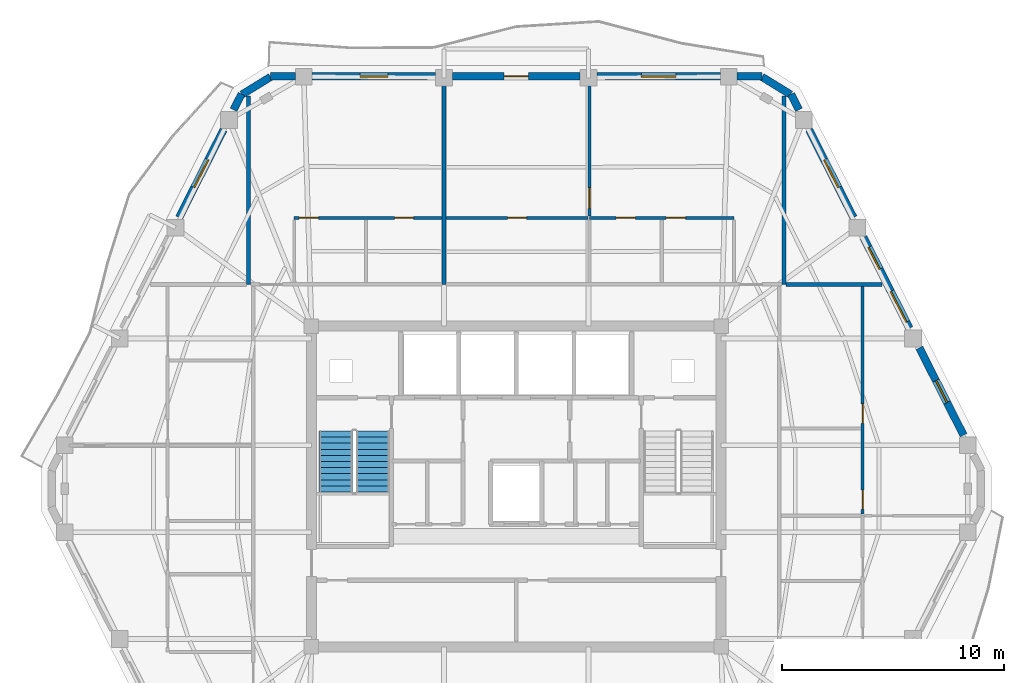
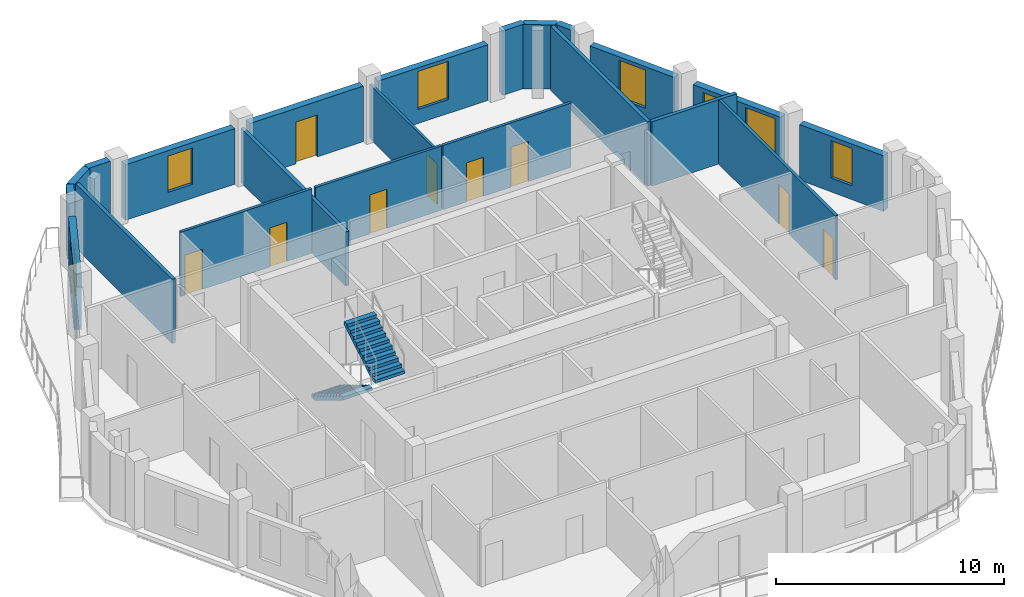
# One storey, part 7 of 11: 22 walls, 9 doors, 7 windows, 2 stair flights, 16 openings, 1 element without a shape of its own.
"""IFC4 building model written with IfcOpenShell, lengths in metres."""

from ifc_helpers import new_model, si_unit, direction, frame, frame_2d, origin, place, context, subcontext, project, spatial, polyline, rectangle, outline, extrude, material, layer, layer_set, type_object, element, fill, aggregate, save


model = new_model("IFC4")

# Units and contexts
model_context = context("Model", 3, precision=1e-05, world=origin(), true_north=direction((0.0, 1.0)))
body_context = subcontext(model_context, "Body", "Model", "MODEL_VIEW")
ifc_project = project(units=[si_unit("LENGTHUNIT", "METRE"), si_unit("AREAUNIT", "SQUARE_METRE"), si_unit("VOLUMEUNIT", "CUBIC_METRE"), si_unit("PLANEANGLEUNIT", "RADIAN"), si_unit("MASSUNIT", "GRAM", prefix="KILO")], contexts=[model_context])

# Site, building, storey
site_placement = place(None, origin())
site = spatial("IfcSite", under=ifc_project, at=site_placement, CompositionType="ELEMENT")
building_placement = place(site_placement, origin())
building = spatial("IfcBuilding", under=site, at=building_placement, Name="Cinnabar Lancet Tower", CompositionType="ELEMENT")
storey_placement = place(building_placement, frame((0.0, 0.0, 234.300048828125)))
storey = spatial("IfcBuildingStorey", under=building, at=storey_placement, Name="L62", CompositionType="ELEMENT", Elevation=234.300048828125)

# Walls
ifc_material_1 = material(Name="Fire-rated twin-frame acoustic drywall", Category="gypsum")
ifc_layer_1 = layer(ifc_material_1, 0.179931640625)
ifc_layer_set_1 = layer_set([ifc_layer_1], Name="Fire-rated twin-frame acoustic drywall")
wall_type_1 = type_object("IfcWallType", Name="ARC-WL-PARTY-180", PredefinedType="PARTITIONING", material=ifc_layer_set_1)
wall_1_placement = place(storey_placement, frame((20.35009765625, 35.0, 0.0), z_axis=(0.0, 0.0, 1.0), x_axis=(0.0, 1.0, 0.0)))
element("IfcWall", 1, at=wall_1_placement, inside=storey, type_object=wall_type_1, Name="PW-L62-NPTY-204", PredefinedType="PARTITIONING", context=body_context, shape_type="SweptSolid", body=[
    extrude(rectangle(XDim=8.48095703125, YDim=0.179931640625, at=frame_2d((4.240478515625, 0.0))), origin(), (0.0, 0.0, 1.0), 3.449951171875),
])
wall_2_placement = place(storey_placement, frame((29.14599609375, 35.0, 0.0), z_axis=(0.0, 0.0, 1.0), x_axis=(0.0, 1.0, 0.0)))
element("IfcWall", 2, at=wall_2_placement, inside=storey, type_object=wall_type_1, Name="PW-L62-NPTY-291", PredefinedType="PARTITIONING", context=body_context, shape_type="SweptSolid", body=[
    extrude(rectangle(XDim=9.195068359375, YDim=0.179931640625, at=frame_2d((4.59765625, 0.0))), origin(), (0.0, 0.0, 1.0), 2.906982421875),
])
wall_3_placement = place(storey_placement, frame((44.449951171875, 35.0, 0.0), z_axis=(0.0, 0.0, 1.0), x_axis=(0.0, 1.0, 0.0)))
element("IfcWall", 3, at=wall_3_placement, inside=storey, type_object=wall_type_1, Name="PW-L62-NPTY-444", PredefinedType="PARTITIONING", context=body_context, shape_type="SweptSolid", body=[
    extrude(rectangle(XDim=8.48095703125, YDim=0.179931640625, at=frame_2d((4.240478515625, 0.0))), origin(), (0.0, 0.0, 1.0), 3.449951171875),
])
wall_4_placement = place(storey_placement, frame((44.544921875, 35.0, 0.0), z_axis=(0.0, 0.0, 1.0), x_axis=(1.0, 0.0, 0.0)))
element("IfcWall", 4, at=wall_4_placement, inside=storey, type_object=wall_type_1, Name="PW-L62-ENB", PredefinedType="PARTITIONING", context=body_context, shape_type="SweptSolid", body=[
    extrude(rectangle(XDim=4.322021484375, YDim=0.179931640625, at=frame_2d((2.1611328125, 0.0))), origin(), (0.0, 0.0, 1.0), 3.449951171875),
])

# Wall, opening, door
ifc_material_2 = material(Name="Gypsum plasterboard stud partition", Category="gypsum")
ifc_layer_2 = layer(ifc_material_2, 0.125)
ifc_layer_set_2 = layer_set([ifc_layer_2], Name="Gypsum plasterboard stud partition")
wall_type_2 = type_object("IfcWallType", Name="ARC-WL-UNIT-125", PredefinedType="PARTITIONING", material=ifc_layer_set_2)
wall_5_placement = place(storey_placement, frame((35.697021484375, 38.075927734375, 0.0), z_axis=(0.0, 0.0, 1.0), x_axis=(0.0, 1.0, 0.0)))
wall_5 = element("IfcWall", 5, at=wall_5_placement, inside=storey, type_object=wall_type_2, Name="UW-L62-N02-MBW", PredefinedType="PARTITIONING", context=body_context, shape_type="SweptSolid", body=[
    extrude(rectangle(XDim=6.208984375, YDim=0.125, at=frame_2d((3.1044921875, 0.0))), origin(), (0.0, 0.0, 1.0), 2.906982421875),
])
opening_1_placement = place(wall_5_placement, frame((0.35009765625, 0.0, 0.0)))
opening_1 = element("IfcOpeningElement", 6, at=opening_1_placement, cuts=wall_5, Name="Opening RD-01", PredefinedType="OPENING", context=body_context, shape_type="SweptSolid", body=[
    extrude(rectangle(XDim=0.919921875, YDim=2.14990234375, at=frame_2d((0.4599609375, 1.074951171875))), frame((0.0, 0.072509765625, 0.0), z_axis=(0.0, -1.0, 0.0), x_axis=(1.0, 0.0, 0.0)), (0.0, 0.0, 1.0), 0.14501953125),
])
ifc_material_3 = material(Name="Engineered timber bedroom door", Category="wood")
door_type_1 = type_object("IfcDoorType", Name="ARC-DR-ROOM", OperationType="NOTDEFINED", PredefinedType="DOOR", material=ifc_material_3)
door_1_placement = place(opening_1_placement, origin())
door_1 = element("IfcDoor", 7, at=door_1_placement, inside=storey, type_object=door_type_1, Name="DR-L62-N02-MBD", OperationType="SINGLE_SWING_RIGHT", OverallHeight=2.14990234375, OverallWidth=0.919921875, PredefinedType="DOOR", context=body_context, shape_type="SweptSolid", body=[
    extrude(rectangle(XDim=0.919921875, YDim=2.14990234375, at=frame_2d((0.4599609375, 1.074951171875))), frame((0.0, 0.02490234375, 0.0), z_axis=(0.0, -1.0, 0.0), x_axis=(1.0, 0.0, 0.0)), (0.0, 0.0, 1.0), 0.050048828125),
])
fill(opening_1, door_1)

# Wall, openings, doors
ifc_material_4 = material(Name="Moisture-resistant cement-board plumbing wall", Category="masonry")
ifc_layer_3 = layer(ifc_material_4, 0.139892578125)
ifc_layer_set_3 = layer_set([ifc_layer_3], Name="Moisture-resistant cement-board plumbing wall")
wall_type_3 = type_object("IfcWallType", Name="ARC-WL-WET-140", PredefinedType="PLUMBINGWALL", material=ifc_layer_set_3)
wall_6_placement = place(storey_placement, frame((22.39990234375, 38.0009765625, 0.0), z_axis=(0.0, 0.0, 1.0), x_axis=(1.0, 0.0, 0.0)))
wall_6 = element("IfcWall", 8, at=wall_6_placement, inside=storey, type_object=wall_type_3, Name="UW-L62-N01-SPL", PredefinedType="PLUMBINGWALL", context=body_context, shape_type="SweptSolid", body=[
    extrude(rectangle(XDim=6.651123046875, YDim=0.139892578125, at=frame_2d((3.32568359375, 0.0))), origin(), (0.0, 0.0, 1.0), 3.449951171875),
])
opening_2_placement = place(wall_6_placement, frame((4.52001953125, 0.0, 0.0)))
opening_2 = element("IfcOpeningElement", 9, at=opening_2_placement, cuts=wall_6, Name="Opening BD-01", PredefinedType="OPENING", context=body_context, shape_type="SweptSolid", body=[
    extrude(rectangle(XDim=0.860107421875, YDim=2.10009765625, at=frame_2d((0.43017578125, 1.050048828125))), frame((0.0, 0.079833984375, 0.0), z_axis=(0.0, -1.0, 0.0), x_axis=(1.0, 0.0, 0.0)), (0.0, 0.0, 1.0), 0.159912109375),
])
opening_3_placement = place(wall_6_placement, frame((0.219970703125, 0.0, 0.0)))
opening_3 = element("IfcOpeningElement", 10, at=opening_3_placement, cuts=wall_6, Name="Opening RD-02", PredefinedType="OPENING", context=body_context, shape_type="SweptSolid", body=[
    extrude(rectangle(XDim=0.8798828125, YDim=2.14990234375, at=frame_2d((0.43994140625, 1.074951171875))), frame((0.0, 0.079833984375, 0.0), z_axis=(0.0, -1.0, 0.0), x_axis=(1.0, 0.0, 0.0)), (0.0, 0.0, 1.0), 0.159912109375),
])
ifc_material_5 = material(Name="Moisture-resistant timber bathroom door", Category="wood")
door_type_2 = type_object("IfcDoorType", Name="ARC-DR-BATH", OperationType="NOTDEFINED", PredefinedType="DOOR", material=ifc_material_5)
door_2_placement = place(opening_2_placement, origin())
door_2 = element("IfcDoor", 11, at=door_2_placement, inside=storey, type_object=door_type_2, Name="DR-L62-N01-BTH", OperationType="SINGLE_SWING_RIGHT", OverallHeight=2.10009765625, OverallWidth=0.860107421875, PredefinedType="DOOR", context=body_context, shape_type="SweptSolid", body=[
    extrude(rectangle(XDim=0.860107421875, YDim=2.10009765625, at=frame_2d((0.43017578125, 1.050048828125))), frame((0.0, 0.02490234375, 0.0), z_axis=(0.0, -1.0, 0.0), x_axis=(1.0, 0.0, 0.0)), (0.0, 0.0, 1.0), 0.050048828125),
])
fill(opening_2, door_2)
ifc_material_6 = material(Name="Engineered timber study door", Category="wood")
door_type_3 = type_object("IfcDoorType", Name="ARC-DR-STUDY", OperationType="NOTDEFINED", PredefinedType="DOOR", material=ifc_material_6)
door_3_placement = place(opening_3_placement, origin())
door_3 = element("IfcDoor", 12, at=door_3_placement, inside=storey, type_object=door_type_3, Name="DR-L62-N01-KIT", OperationType="SINGLE_SWING_LEFT", OverallHeight=2.14990234375, OverallWidth=0.8798828125, PredefinedType="DOOR", context=body_context, shape_type="SweptSolid", body=[
    extrude(rectangle(XDim=0.8798828125, YDim=2.14990234375, at=frame_2d((0.43994140625, 1.074951171875))), frame((0.0, 0.02490234375, 0.0), z_axis=(0.0, -1.0, 0.0), x_axis=(1.0, 0.0, 0.0)), (0.0, 0.0, 1.0), 0.050048828125),
])
fill(opening_3, door_3)

wall_7_placement = place(storey_placement, frame((35.697021484375, 38.0009765625, 0.0), z_axis=(0.0, 0.0, 1.0), x_axis=(1.0, 0.0, 0.0)))
wall_7 = element("IfcWall", 13, at=wall_7_placement, inside=storey, type_object=wall_type_3, Name="UW-L62-N02-SPL", PredefinedType="PLUMBINGWALL", context=body_context, shape_type="SweptSolid", body=[
    extrude(rectangle(XDim=6.5029296875, YDim=0.139892578125, at=frame_2d((3.25146484375, 0.0))), origin(), (0.0, 0.0, 1.0), 3.449951171875),
])
opening_4_placement = place(wall_7_placement, frame((1.200927734375, 0.0, 0.0)))
opening_4 = element("IfcOpeningElement", 14, at=opening_4_placement, cuts=wall_7, Name="Opening BD-01", PredefinedType="OPENING", context=body_context, shape_type="SweptSolid", body=[
    extrude(rectangle(XDim=0.860107421875, YDim=2.10009765625, at=frame_2d((0.43017578125, 1.050048828125))), frame((0.0, 0.079833984375, 0.0), z_axis=(0.0, -1.0, 0.0), x_axis=(1.0, 0.0, 0.0)), (0.0, 0.0, 1.0), 0.159912109375),
])
opening_5_placement = place(wall_7_placement, frame((3.451904296875, 0.0, 0.0)))
opening_5 = element("IfcOpeningElement", 15, at=opening_5_placement, cuts=wall_7, Name="Opening RD-02", PredefinedType="OPENING", context=body_context, shape_type="SweptSolid", body=[
    extrude(rectangle(XDim=0.8798828125, YDim=2.14990234375, at=frame_2d((0.43994140625, 1.074951171875))), frame((0.0, 0.079833984375, 0.0), z_axis=(0.0, -1.0, 0.0), x_axis=(1.0, 0.0, 0.0)), (0.0, 0.0, 1.0), 0.159912109375),
])
door_4_placement = place(opening_4_placement, origin())
door_4 = element("IfcDoor", 16, at=door_4_placement, inside=storey, type_object=door_type_2, Name="DR-L62-N02-BTH", OperationType="SINGLE_SWING_RIGHT", OverallHeight=2.10009765625, OverallWidth=0.860107421875, PredefinedType="DOOR", context=body_context, shape_type="SweptSolid", body=[
    extrude(rectangle(XDim=0.860107421875, YDim=2.10009765625, at=frame_2d((0.43017578125, 1.050048828125))), frame((0.0, 0.02490234375, 0.0), z_axis=(0.0, -1.0, 0.0), x_axis=(1.0, 0.0, 0.0)), (0.0, 0.0, 1.0), 0.050048828125),
])
fill(opening_4, door_4)
door_5_placement = place(opening_5_placement, origin())
door_5 = element("IfcDoor", 17, at=door_5_placement, inside=storey, type_object=door_type_3, Name="DR-L62-N02-KIT", OperationType="SINGLE_SWING_LEFT", OverallHeight=2.14990234375, OverallWidth=0.8798828125, PredefinedType="DOOR", context=body_context, shape_type="SweptSolid", body=[
    extrude(rectangle(XDim=0.8798828125, YDim=2.14990234375, at=frame_2d((0.43994140625, 1.074951171875))), frame((0.0, 0.02490234375, 0.0), z_axis=(0.0, -1.0, 0.0), x_axis=(1.0, 0.0, 0.0)), (0.0, 0.0, 1.0), 0.050048828125),
])
fill(opening_5, door_5)

# Wall, opening, door
wall_8_placement = place(storey_placement, frame((29.240966796875, 38.0009765625, 0.0), z_axis=(0.0, 0.0, 1.0), x_axis=(1.0, 0.0, 0.0)))
wall_8 = element("IfcWall", 18, at=wall_8_placement, inside=storey, type_object=wall_type_3, Name="UW-L62-N02-SPM", PredefinedType="PLUMBINGWALL", context=body_context, shape_type="SweptSolid", body=[
    extrude(rectangle(XDim=6.381103515625, YDim=0.139892578125, at=frame_2d((3.1904296875, 0.0))), origin(), (0.0, 0.0, 1.0), 3.449951171875),
])
opening_6_placement = place(wall_8_placement, frame((2.76611328125, 0.0, 0.0)))
opening_6 = element("IfcOpeningElement", 19, at=opening_6_placement, cuts=wall_8, Name="Opening BD-01", PredefinedType="OPENING", context=body_context, shape_type="SweptSolid", body=[
    extrude(rectangle(XDim=0.860107421875, YDim=2.10009765625, at=frame_2d((0.43017578125, 1.050048828125))), frame((0.0, 0.079833984375, 0.0), z_axis=(0.0, -1.0, 0.0), x_axis=(1.0, 0.0, 0.0)), (0.0, 0.0, 1.0), 0.159912109375),
])
door_6_placement = place(opening_6_placement, origin())
door_6 = element("IfcDoor", 20, at=door_6_placement, inside=storey, type_object=door_type_2, Name="DR-L62-N02-ENS", OperationType="SINGLE_SWING_LEFT", OverallHeight=2.10009765625, OverallWidth=0.860107421875, PredefinedType="DOOR", context=body_context, shape_type="SweptSolid", body=[
    extrude(rectangle(XDim=0.860107421875, YDim=2.10009765625, at=frame_2d((0.43017578125, 1.050048828125))), frame((0.0, 0.02490234375, 0.0), z_axis=(0.0, -1.0, 0.0), x_axis=(1.0, 0.0, 0.0)), (0.0, 0.0, 1.0), 0.050048828125),
])
fill(opening_6, door_6)

# Wall, openings, doors
wall_9_placement = place(storey_placement, frame((48.0, 24.654052734375, 0.0), z_axis=(0.0, 0.0, 1.0), x_axis=(0.0, 1.0, 0.0)))
wall_9 = element("IfcWall", 21, at=wall_9_placement, inside=storey, type_object=wall_type_3, Name="UW-L62-E01-SPM", PredefinedType="PLUMBINGWALL", context=body_context, shape_type="SweptSolid", body=[
    extrude(rectangle(XDim=10.2509765625, YDim=0.139892578125, at=frame_2d((5.12548828125, 0.0))), origin(), (0.0, 0.0, 1.0), 3.449951171875),
])
opening_7_placement = place(wall_9_placement, frame((0.219970703125, 0.0, 0.0)))
opening_7 = element("IfcOpeningElement", 22, at=opening_7_placement, cuts=wall_9, Name="Opening BD-01", PredefinedType="OPENING", context=body_context, shape_type="SweptSolid", body=[
    extrude(rectangle(XDim=0.860107421875, YDim=2.10009765625, at=frame_2d((0.43017578125, 1.050048828125))), frame((0.0, 0.079833984375, 0.0), z_axis=(0.0, -1.0, 0.0), x_axis=(1.0, 0.0, 0.0)), (0.0, 0.0, 1.0), 0.159912109375),
])
opening_8_placement = place(wall_9_placement, frame((4.0859375, 0.0, 0.0)))
opening_8 = element("IfcOpeningElement", 23, at=opening_8_placement, cuts=wall_9, Name="Opening RD-02", PredefinedType="OPENING", context=body_context, shape_type="SweptSolid", body=[
    extrude(rectangle(XDim=0.8798828125, YDim=2.14990234375, at=frame_2d((0.43994140625, 1.074951171875))), frame((0.0, 0.079833984375, 0.0), z_axis=(0.0, -1.0, 0.0), x_axis=(1.0, 0.0, 0.0)), (0.0, 0.0, 1.0), 0.159912109375),
])
door_7_placement = place(opening_7_placement, origin())
door_7 = element("IfcDoor", 24, at=door_7_placement, inside=storey, type_object=door_type_2, Name="DR-L62-E01-ENS", OperationType="SINGLE_SWING_RIGHT", OverallHeight=2.10009765625, OverallWidth=0.860107421875, PredefinedType="DOOR", context=body_context, shape_type="SweptSolid", body=[
    extrude(rectangle(XDim=0.860107421875, YDim=2.10009765625, at=frame_2d((0.43017578125, 1.050048828125))), frame((0.0, 0.02490234375, 0.0), z_axis=(0.0, -1.0, 0.0), x_axis=(1.0, 0.0, 0.0)), (0.0, 0.0, 1.0), 0.050048828125),
])
fill(opening_7, door_7)
door_8_placement = place(opening_8_placement, origin())
door_8 = element("IfcDoor", 25, at=door_8_placement, inside=storey, type_object=door_type_3, Name="DR-L62-E01-EWDR", OperationType="SINGLE_SWING_LEFT", OverallHeight=2.14990234375, OverallWidth=0.8798828125, PredefinedType="DOOR", context=body_context, shape_type="SweptSolid", body=[
    extrude(rectangle(XDim=0.8798828125, YDim=2.14990234375, at=frame_2d((0.43994140625, 1.074951171875))), frame((0.0, 0.02490234375, 0.0), z_axis=(0.0, -1.0, 0.0), x_axis=(1.0, 0.0, 0.0)), (0.0, 0.0, 1.0), 0.050048828125),
])
fill(opening_8, door_8)

# Walls
ifc_material_7 = material(Name="Cinnabar red clay brick", Category="masonry")
ifc_layer_4 = layer(ifc_material_7, 0.340087890625)
ifc_layer_set_4 = layer_set([ifc_layer_4], Name="Cinnabar red clay brick")
wall_type_4 = type_object("IfcWallType", Name="ENV-WL-BRK-RED-340", PredefinedType="STANDARD", material=ifc_layer_set_4)
for number, where, z_axis, x_axis, name in (
    (26, (44.7529296875, 43.554931640625, 0.0), (0.0, 0.0, 1.0), (-0.851680557619, 0.52406128246, 0.0), "L62 Chamfered Corner Brick Pier 4.1"),
    (27, (21.3310546875, 44.344970703125, 0.0), (0.0, 0.0, 1.0), (-0.851680557619, -0.52406128246, 0.0), "L62 Chamfered Corner Brick Pier 5.1"),
):
    element("IfcWall", number, at=place(storey_placement, frame(where, z_axis=z_axis, x_axis=x_axis)), inside=storey, type_object=wall_type_4, Name=name, PredefinedType="STANDARD", context=body_context, shape_type="SweptSolid", body=[
        extrude(rectangle(XDim=1.507568359375, YDim=0.340087890625, at=frame_2d((0.75390625, 0.0))), origin(), (0.0, 0.0, 1.0), 3.449951171875),
    ])

# Wall, opening, window
wall_10_placement = place(storey_placement, frame((52.54296875, 28.2109375, 0.0), z_axis=(0.0, 0.0, 1.0), x_axis=(-0.451285866323, 0.892379441077, 0.0)))
wall_10 = element("IfcWall", 28, at=wall_10_placement, inside=storey, type_object=wall_type_4, Name="L62 Face 3 Masonry Bay Wall 2", PredefinedType="STANDARD", context=body_context, shape_type="SweptSolid", body=[
    extrude(rectangle(XDim=4.407470703125, YDim=0.340087890625, at=frame_2d((2.20361328125, 0.0))), origin(), (0.0, 0.0, 1.0), 2.98291015625),
])
opening_9_placement = place(wall_10_placement, frame((1.654052734375, 0.0, 0.75)))
opening_9 = element("IfcOpeningElement", 29, at=opening_9_placement, cuts=wall_10, Name="Opening WN-04", PredefinedType="OPENING", context=body_context, shape_type="SweptSolid", body=[
    extrude(rectangle(XDim=1.10009765625, YDim=2.0, at=frame_2d((0.550048828125, 1.0))), frame((0.0, 0.179931640625, 0.0), z_axis=(0.0, -1.0, 0.0), x_axis=(1.0, 0.0, 0.0)), (0.0, 0.0, 1.0), 0.360107421875),
])
ifc_material_8 = material(Name="Thermally broken bronze-anodized aluminium tall lancet window", Category="aluminium")
window_type_1 = type_object("IfcWindowType", Name="ENV-WN-LANCET-1100", PartitioningType="SINGLE_PANEL", PredefinedType="WINDOW", material=ifc_material_8)
window_1_placement = place(opening_9_placement, origin())
window_1 = element("IfcWindow", 30, at=window_1_placement, inside=storey, type_object=window_type_1, Name="L62 Face 3 Gothic Lancet Window 2", OverallHeight=2.0, OverallWidth=1.10009765625, PartitioningType="SINGLE_PANEL", PredefinedType="WINDOW", context=body_context, shape_type="SweptSolid", body=[
    extrude(rectangle(XDim=1.10009765625, YDim=2.0, at=frame_2d((0.550048828125, 1.0))), frame((0.0, 0.030029296875, 0.0), z_axis=(0.0, -1.0, 0.0), x_axis=(1.0, 0.0, 0.0)), (0.0, 0.0, 1.0), 0.06005859375),
])
fill(opening_9, window_1)

# Wall, openings, windows
wall_11_placement = place(storey_placement, frame((50.10888671875, 33.02294921875, 0.0), z_axis=(0.0, 0.0, 1.0), x_axis=(-0.451539564999, 0.892251097641, 0.0)))
wall_11 = element("IfcWall", 31, at=wall_11_placement, inside=storey, type_object=wall_type_4, Name="L62 Face 3 Masonry Bay Wall 3", PredefinedType="STANDARD", context=body_context, shape_type="SweptSolid", body=[
    extrude(rectangle(XDim=4.599609375, YDim=0.340087890625, at=frame_2d((2.2998046875, 0.0))), origin(), (0.0, 0.0, 1.0), 2.98291015625),
])
opening_10_placement = place(wall_11_placement, frame((0.31201171875, 0.0, 0.75)))
opening_10 = element("IfcOpeningElement", 32, at=opening_10_placement, cuts=wall_11, Name="Opening WN-01", PredefinedType="OPENING", context=body_context, shape_type="SweptSolid", body=[
    extrude(rectangle(XDim=1.550048828125, YDim=2.050048828125, at=frame_2d((0.77490234375, 1.02490234375))), frame((0.0, 0.179931640625, 0.0), z_axis=(0.0, -1.0, 0.0), x_axis=(1.0, 0.0, 0.0)), (0.0, 0.0, 1.0), 0.360107421875),
])
opening_11_placement = place(wall_11_placement, frame((2.988037109375, 0.0, 0.75)))
opening_11 = element("IfcOpeningElement", 33, at=opening_11_placement, cuts=wall_11, Name="Opening WN-04", PredefinedType="OPENING", context=body_context, shape_type="SweptSolid", body=[
    extrude(rectangle(XDim=1.10009765625, YDim=2.0, at=frame_2d((0.550048828125, 1.0))), frame((0.0, 0.179931640625, 0.0), z_axis=(0.0, -1.0, 0.0), x_axis=(1.0, 0.0, 0.0)), (0.0, 0.0, 1.0), 0.360107421875),
])
window_2_placement = place(opening_11_placement, origin())
window_2 = element("IfcWindow", 34, at=window_2_placement, inside=storey, type_object=window_type_1, Name="L62 Split-Bay Gothic Lancet Window 216", OverallHeight=2.0, OverallWidth=1.10009765625, PartitioningType="SINGLE_PANEL", PredefinedType="WINDOW", context=body_context, shape_type="SweptSolid", body=[
    extrude(rectangle(XDim=1.10009765625, YDim=2.0, at=frame_2d((0.550048828125, 1.0))), frame((0.0, 0.030029296875, 0.0), z_axis=(0.0, -1.0, 0.0), x_axis=(1.0, 0.0, 0.0)), (0.0, 0.0, 1.0), 0.06005859375),
])
fill(opening_11, window_2)
ifc_material_9 = material(Name="Thermally broken bronze-anodized aluminium low-E double glazing", Category="aluminium")
window_type_2 = type_object("IfcWindowType", Name="ENV-WN-LANCET-1550", PartitioningType="SINGLE_PANEL", PredefinedType="WINDOW", material=ifc_material_9)
window_3_placement = place(opening_10_placement, origin())
window_3 = element("IfcWindow", 35, at=window_3_placement, inside=storey, type_object=window_type_2, Name="L62 Face 3 Gothic Lancet Window 3", OverallHeight=2.050048828125, OverallWidth=1.550048828125, PartitioningType="SINGLE_PANEL", PredefinedType="WINDOW", context=body_context, shape_type="SweptSolid", body=[
    extrude(rectangle(XDim=1.550048828125, YDim=2.050048828125, at=frame_2d((0.77490234375, 1.02490234375))), frame((0.0, 0.030029296875, 0.0), z_axis=(0.0, -1.0, 0.0), x_axis=(1.0, 0.0, 0.0)), (0.0, 0.0, 1.0), 0.06005859375),
])
fill(opening_10, window_3)

# Wall, opening, window
wall_12_placement = place(storey_placement, frame((47.5859375, 38.010009765625, 0.0), z_axis=(0.0, 0.0, 1.0), x_axis=(-0.451463046281, 0.89228981718, 0.0)))
wall_12 = element("IfcWall", 36, at=wall_12_placement, inside=storey, type_object=wall_type_4, Name="L62 Face 3 Masonry Bay Wall 4", PredefinedType="STANDARD", context=body_context, shape_type="SweptSolid", body=[
    extrude(rectangle(XDim=4.429931640625, YDim=0.340087890625, at=frame_2d((2.21484375, 0.0))), origin(), (0.0, 0.0, 1.0), 2.98291015625),
])
opening_12_placement = place(wall_12_placement, frame((1.514892578125, 0.0, 0.75)))
opening_12 = element("IfcOpeningElement", 37, at=opening_12_placement, cuts=wall_12, Name="Opening WN-02", PredefinedType="OPENING", context=body_context, shape_type="SweptSolid", body=[
    extrude(rectangle(XDim=1.39990234375, YDim=2.050048828125, at=frame_2d((0.699951171875, 1.02490234375))), frame((0.0, 0.179931640625, 0.0), z_axis=(0.0, -1.0, 0.0), x_axis=(1.0, 0.0, 0.0)), (0.0, 0.0, 1.0), 0.360107421875),
])
ifc_material_10 = material(Name="Thermally broken bronze-anodized aluminium low-E double glazing", Category="aluminium")
window_type_3 = type_object("IfcWindowType", Name="ENV-WN-LANCET-1400", PartitioningType="SINGLE_PANEL", PredefinedType="WINDOW", material=ifc_material_10)
window_4_placement = place(opening_12_placement, origin())
window_4 = element("IfcWindow", 38, at=window_4_placement, inside=storey, type_object=window_type_3, Name="L62 Face 3 Gothic Lancet Window 4", OverallHeight=2.050048828125, OverallWidth=1.39990234375, PartitioningType="SINGLE_PANEL", PredefinedType="WINDOW", context=body_context, shape_type="SweptSolid", body=[
    extrude(rectangle(XDim=1.39990234375, YDim=2.050048828125, at=frame_2d((0.699951171875, 1.02490234375))), frame((0.0, 0.030029296875, 0.0), z_axis=(0.0, -1.0, 0.0), x_axis=(1.0, 0.0, 0.0)), (0.0, 0.0, 1.0), 0.06005859375),
])
fill(opening_12, window_4)

# Walls
wall_13_placement = place(storey_placement, frame((45.1298828125, 42.864990234375, 0.0), z_axis=(0.0, 0.0, 1.0), x_axis=(-0.451159191899, 0.892443490404, 0.0)))
element("IfcWall", 39, at=wall_13_placement, inside=storey, type_object=wall_type_4, Name="L62 Face 3 Masonry Bay Wall 5", PredefinedType="STANDARD", context=body_context, shape_type="SweptSolid", body=[
    extrude(rectangle(XDim=0.791259765625, YDim=0.340087890625, at=frame_2d((0.3955078125, 0.0))), origin(), (0.0, 0.0, 1.0), 3.449951171875),
])
wall_14_placement = place(storey_placement, frame((43.47412109375, 44.3701171875, 0.0), z_axis=(0.0, 0.0, 1.0), x_axis=(-1.0, 0.0, 0.0)))
element("IfcWall", 40, at=wall_14_placement, inside=storey, type_object=wall_type_4, Name="L62 Face 4 Masonry Bay Wall 1", PredefinedType="STANDARD", context=body_context, shape_type="SweptSolid", body=[
    extrude(rectangle(XDim=1.123046875, YDim=0.340087890625, at=frame_2d((0.5615234375, 0.0))), origin(), (0.0, 0.0, 1.0), 3.449951171875),
])

# Wall, opening, window
wall_15_placement = place(storey_placement, frame((41.593017578125, 44.3701171875, 0.0), z_axis=(0.0, 0.0, 1.0), x_axis=(-1.0, 0.0, 0.0)))
wall_15 = element("IfcWall", 41, at=wall_15_placement, inside=storey, type_object=wall_type_4, Name="L62 Face 4 Masonry Bay Wall 2", PredefinedType="STANDARD", context=body_context, shape_type="SweptSolid", body=[
    extrude(rectangle(XDim=5.56005859375, YDim=0.340087890625, at=frame_2d((2.780029296875, 0.0))), origin(), (0.0, 0.0, 1.0), 2.98291015625),
])
opening_13_placement = place(wall_15_placement, frame((2.0048828125, 0.0, 0.75)))
opening_13 = element("IfcOpeningElement", 42, at=opening_13_placement, cuts=wall_15, Name="Opening WN-01", PredefinedType="OPENING", context=body_context, shape_type="SweptSolid", body=[
    extrude(rectangle(XDim=1.550048828125, YDim=2.050048828125, at=frame_2d((0.77490234375, 1.02490234375))), frame((0.0, 0.179931640625, 0.0), z_axis=(0.0, -1.0, 0.0), x_axis=(1.0, 0.0, 0.0)), (0.0, 0.0, 1.0), 0.360107421875),
])
window_5_placement = place(opening_13_placement, origin())
window_5 = element("IfcWindow", 43, at=window_5_placement, inside=storey, type_object=window_type_2, Name="L62 Face 4 Gothic Lancet Window 2", OverallHeight=2.050048828125, OverallWidth=1.550048828125, PartitioningType="SINGLE_PANEL", PredefinedType="WINDOW", context=body_context, shape_type="SweptSolid", body=[
    extrude(rectangle(XDim=1.550048828125, YDim=2.050048828125, at=frame_2d((0.77490234375, 1.02490234375))), frame((0.0, 0.030029296875, 0.0), z_axis=(0.0, -1.0, 0.0), x_axis=(1.0, 0.0, 0.0)), (0.0, 0.0, 1.0), 0.06005859375),
])
fill(opening_13, window_5)

# Wall, opening, door
wall_16_placement = place(storey_placement, frame((35.27490234375, 44.3701171875, 0.0), z_axis=(0.0, 0.0, 1.0), x_axis=(-1.0, 0.0, 0.0)))
wall_16 = element("IfcWall", 44, at=wall_16_placement, inside=storey, type_object=wall_type_4, Name="L62 Face 4 Masonry Bay Wall 3", PredefinedType="STANDARD", context=body_context, shape_type="SweptSolid", body=[
    extrude(rectangle(XDim=5.75, YDim=0.340087890625, at=frame_2d((2.875, 0.0))), origin(), (0.0, 0.0, 1.0), 2.98291015625),
])
opening_14_placement = place(wall_16_placement, frame((2.324951171875, 0.0, 0.0)))
opening_14 = element("IfcOpeningElement", 45, at=opening_14_placement, cuts=wall_16, Name="Opening TD-01", PredefinedType="OPENING", context=body_context, shape_type="SweptSolid", body=[
    extrude(rectangle(XDim=1.10009765625, YDim=2.25, at=frame_2d((0.550048828125, 1.125))), frame((0.0, 0.179931640625, 0.0), z_axis=(0.0, -1.0, 0.0), x_axis=(1.0, 0.0, 0.0)), (0.0, 0.0, 1.0), 0.360107421875),
])
ifc_material_11 = material(Name="Thermally broken low-E glazed balcony terrace door", Category="wood")
door_type_4 = type_object("IfcDoorType", Name="ARC-DR-BALC", OperationType="NOTDEFINED", PredefinedType="DOOR", material=ifc_material_11)
door_9_placement = place(opening_14_placement, origin())
door_9 = element("IfcDoor", 46, at=door_9_placement, inside=storey, type_object=door_type_4, Name="L62 Face 4 Glazed Terrace Door", OperationType="SINGLE_SWING_RIGHT", OverallHeight=2.25, OverallWidth=1.10009765625, PredefinedType="DOOR", context=body_context, shape_type="SweptSolid", body=[
    extrude(rectangle(XDim=1.10009765625, YDim=2.25, at=frame_2d((0.550048828125, 1.125))), frame((0.0, 0.02490234375, 0.0), z_axis=(0.0, -1.0, 0.0), x_axis=(1.0, 0.0, 0.0)), (0.0, 0.0, 1.0), 0.050048828125),
])
fill(opening_14, door_9)

# Wall, opening, window
wall_17_placement = place(storey_placement, frame((28.76708984375, 44.3701171875, 0.0), z_axis=(0.0, 0.0, 1.0), x_axis=(-1.0, 0.0, 0.0)))
wall_17 = element("IfcWall", 47, at=wall_17_placement, inside=storey, type_object=wall_type_4, Name="L62 Face 4 Masonry Bay Wall 4", PredefinedType="STANDARD", context=body_context, shape_type="SweptSolid", body=[
    extrude(rectangle(XDim=5.56005859375, YDim=0.340087890625, at=frame_2d((2.780029296875, 0.0))), origin(), (0.0, 0.0, 1.0), 2.98291015625),
])
opening_15_placement = place(wall_17_placement, frame((2.155029296875, 0.0, 0.75)))
opening_15 = element("IfcOpeningElement", 48, at=opening_15_placement, cuts=wall_17, Name="Opening WN-03", PredefinedType="OPENING", context=body_context, shape_type="SweptSolid", body=[
    extrude(rectangle(XDim=1.25, YDim=1.949951171875, at=frame_2d((0.625, 0.97509765625))), frame((0.0, 0.179931640625, 0.0), z_axis=(0.0, -1.0, 0.0), x_axis=(1.0, 0.0, 0.0)), (0.0, 0.0, 1.0), 0.360107421875),
])
ifc_material_12 = material(Name="Thermally broken bronze-anodized aluminium low-E double glazing", Category="aluminium")
window_type_4 = type_object("IfcWindowType", Name="ENV-WN-LANCET-1250", PartitioningType="SINGLE_PANEL", PredefinedType="WINDOW", material=ifc_material_12)
window_6_placement = place(opening_15_placement, origin())
window_6 = element("IfcWindow", 49, at=window_6_placement, inside=storey, type_object=window_type_4, Name="L62 Face 4 Gothic Lancet Window 4", OverallHeight=1.949951171875, OverallWidth=1.25, PartitioningType="SINGLE_PANEL", PredefinedType="WINDOW", context=body_context, shape_type="SweptSolid", body=[
    extrude(rectangle(XDim=1.25, YDim=1.949951171875, at=frame_2d((0.625, 0.97509765625))), frame((0.0, 0.030029296875, 0.0), z_axis=(0.0, -1.0, 0.0), x_axis=(1.0, 0.0, 0.0)), (0.0, 0.0, 1.0), 0.06005859375),
])
fill(opening_15, window_6)

# Walls
wall_18_placement = place(storey_placement, frame((22.448974609375, 44.3701171875, 0.0), z_axis=(0.0, 0.0, 1.0), x_axis=(-1.0, 0.0, 0.0)))
element("IfcWall", 50, at=wall_18_placement, inside=storey, type_object=wall_type_4, Name="L62 Face 4 Masonry Bay Wall 5", PredefinedType="STANDARD", context=body_context, shape_type="SweptSolid", body=[
    extrude(rectangle(XDim=1.123046875, YDim=0.340087890625, at=frame_2d((0.5615234375, 0.0))), origin(), (0.0, 0.0, 1.0), 3.449951171875),
])
wall_19_placement = place(storey_placement, frame((20.027099609375, 43.571044921875, 0.0), z_axis=(0.0, 0.0, 1.0), x_axis=(-0.451404919072, -0.89231922485, 0.0)))
element("IfcWall", 51, at=wall_19_placement, inside=storey, type_object=wall_type_4, Name="L62 Face 5 Masonry Bay Wall 1", PredefinedType="STANDARD", context=body_context, shape_type="SweptSolid", body=[
    extrude(rectangle(XDim=0.791259765625, YDim=0.340087890625, at=frame_2d((0.3955078125, 0.0))), origin(), (0.0, 0.0, 1.0), 3.449951171875),
])

# Wall, opening, window
wall_20_placement = place(storey_placement, frame((19.214111328125, 41.962890625, 0.0), z_axis=(0.0, 0.0, 1.0), x_axis=(-0.451463046281, -0.89228981718, 0.0)))
wall_20 = element("IfcWall", 52, at=wall_20_placement, inside=storey, type_object=wall_type_4, Name="L62 Face 5 Masonry Bay Wall 2", PredefinedType="STANDARD", context=body_context, shape_type="SweptSolid", body=[
    extrude(rectangle(XDim=4.429931640625, YDim=0.340087890625, at=frame_2d((2.21484375, 0.0))), origin(), (0.0, 0.0, 1.0), 2.98291015625),
])
opening_16_placement = place(wall_20_placement, frame((1.514892578125, 0.0, 0.75)))
opening_16 = element("IfcOpeningElement", 53, at=opening_16_placement, cuts=wall_20, Name="Opening WN-02", PredefinedType="OPENING", context=body_context, shape_type="SweptSolid", body=[
    extrude(rectangle(XDim=1.39990234375, YDim=2.050048828125, at=frame_2d((0.699951171875, 1.02490234375))), frame((0.0, 0.179931640625, 0.0), z_axis=(0.0, -1.0, 0.0), x_axis=(1.0, 0.0, 0.0)), (0.0, 0.0, 1.0), 0.360107421875),
])
window_7_placement = place(opening_16_placement, origin())
window_7 = element("IfcWindow", 54, at=window_7_placement, inside=storey, type_object=window_type_3, Name="L62 Face 5 Gothic Lancet Window 2", OverallHeight=2.050048828125, OverallWidth=1.39990234375, PartitioningType="SINGLE_PANEL", PredefinedType="WINDOW", context=body_context, shape_type="SweptSolid", body=[
    extrude(rectangle(XDim=1.39990234375, YDim=2.050048828125, at=frame_2d((0.699951171875, 1.02490234375))), frame((0.0, 0.030029296875, 0.0), z_axis=(0.0, -1.0, 0.0), x_axis=(1.0, 0.0, 0.0)), (0.0, 0.0, 1.0), 0.06005859375),
])
fill(opening_16, window_7)

# Stair, stair flights
ifc_material_13 = material(Name="Concrete C40/50", Category="concrete")
stair_type = type_object("IfcStairType", Name="ST-CORE", PredefinedType="HALF_TURN_STAIR", material=ifc_material_13)
stair_placement = place(storey_placement, origin())
stair = element("IfcStair", 55, at=stair_placement, inside=storey, type_object=stair_type, Name="L62 ST-1", PredefinedType="HALF_TURN_STAIR")
ifc_material_14 = material(Name="Concrete C40/50", Category="concrete")
stair_flight_type = type_object("IfcStairFlightType", Name="FLIGHT-CORE", PredefinedType="STRAIGHT", material=ifc_material_14)
stair_flight_1_placement = place(storey_placement, frame((24.27490234375, 28.39990234375, 0.0), z_axis=(0.0, 0.0, 1.0), x_axis=(0.0, -1.0, 0.0)))
stair_flight_1 = element("IfcStairFlight", 56, at=stair_flight_1_placement, type_object=stair_flight_type, Name="ST-1 flight 1", NumberOfRisers=11, NumberOfTreads=10, PredefinedType="STRAIGHT", RiserHeight=0.165909091, TreadLength=0.275, context=body_context, shape_type="SweptSolid", body=[
    extrude(outline(polyline([(0.0, 0.0), (0.0, 0.166015625), (0.27490234375, 0.166015625), (0.27490234375, 0.331787109375), (0.550048828125, 0.331787109375), (0.550048828125, 0.497802734375), (0.824951171875, 0.497802734375), (0.824951171875, 0.66357421875), (1.10009765625, 0.66357421875), (1.10009765625, 0.82958984375), (1.375, 0.82958984375), (1.375, 0.995361328125), (1.64990234375, 0.995361328125), (1.64990234375, 1.161376953125), (1.925048828125, 1.161376953125), (1.925048828125, 1.327392578125), (2.199951171875, 1.327392578125), (2.199951171875, 1.4931640625), (2.47509765625, 1.4931640625), (2.47509765625, 1.6591796875), (2.75, 1.6591796875), (2.75, 1.824951171875), (2.75, 1.484130859375), (0.290283203125, 0.0), (0.0, 0.0)])), frame((0.0, 0.75, 0.0), z_axis=(0.0, -1.0, 0.0), x_axis=(1.0, 0.0, 0.0)), (0.0, 0.0, 1.0), 1.5),
])
stair_flight_2_placement = place(storey_placement, frame((25.925048828125, 25.64990234375, 1.824951171875), z_axis=(0.0, 0.0, 1.0), x_axis=(0.0, 1.0, 0.0)))
stair_flight_2 = element("IfcStairFlight", 57, at=stair_flight_2_placement, type_object=stair_flight_type, Name="ST-1 flight 2", NumberOfRisers=11, NumberOfTreads=10, PredefinedType="STRAIGHT", RiserHeight=0.165909091, TreadLength=0.275, context=body_context, shape_type="SweptSolid", body=[
    extrude(outline(polyline([(0.0, 0.0), (0.0, 0.166015625), (0.27490234375, 0.166015625), (0.27490234375, 0.331787109375), (0.550048828125, 0.331787109375), (0.550048828125, 0.497802734375), (0.824951171875, 0.497802734375), (0.824951171875, 0.66357421875), (1.10009765625, 0.66357421875), (1.10009765625, 0.82958984375), (1.375, 0.82958984375), (1.375, 0.995361328125), (1.64990234375, 0.995361328125), (1.64990234375, 1.161376953125), (1.925048828125, 1.161376953125), (1.925048828125, 1.327392578125), (2.199951171875, 1.327392578125), (2.199951171875, 1.4931640625), (2.47509765625, 1.4931640625), (2.47509765625, 1.6591796875), (2.75, 1.6591796875), (2.75, 1.824951171875), (2.75, 1.484130859375), (0.290283203125, 0.0), (0.0, 0.0)])), frame((0.0, 0.75, 0.0), z_axis=(0.0, -1.0, 0.0), x_axis=(1.0, 0.0, 0.0)), (0.0, 0.0, 1.0), 1.5),
])
aggregate(stair, [stair_flight_1, stair_flight_2])

save(model, "model.ifc")
